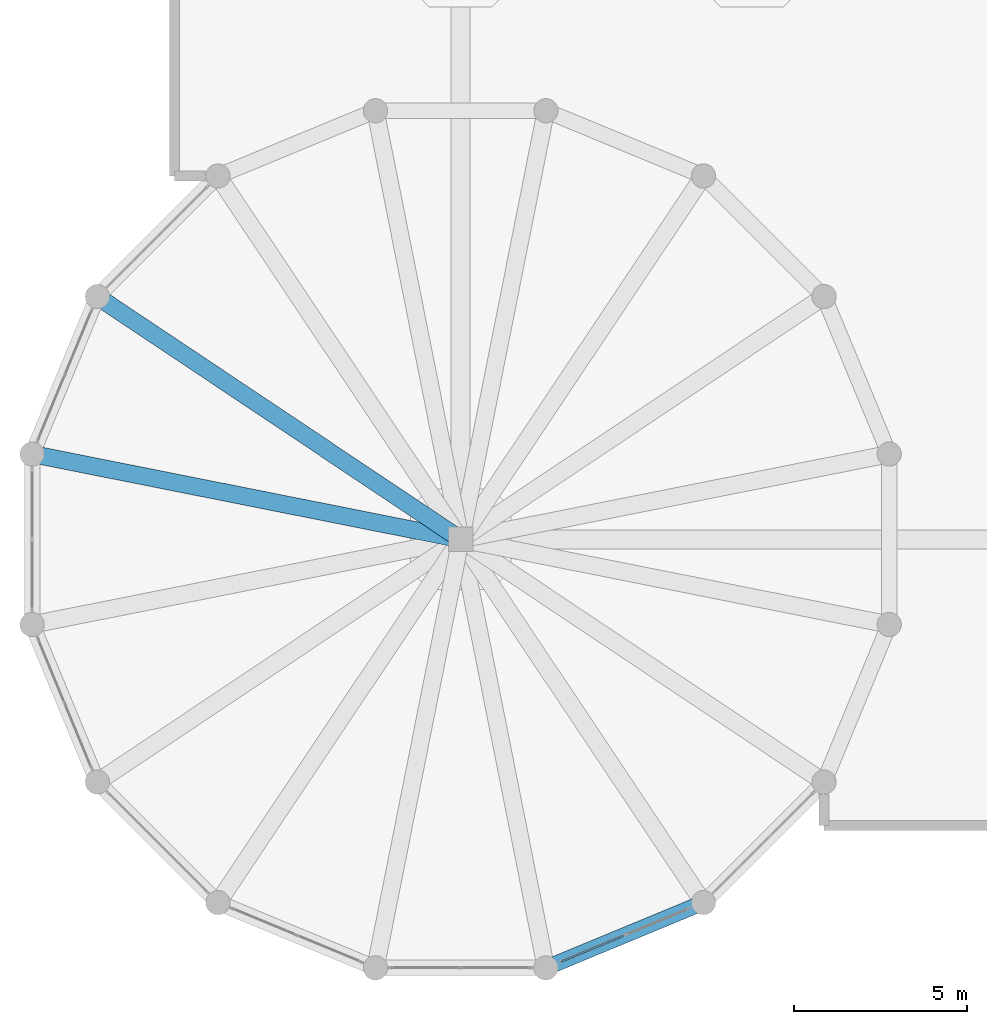
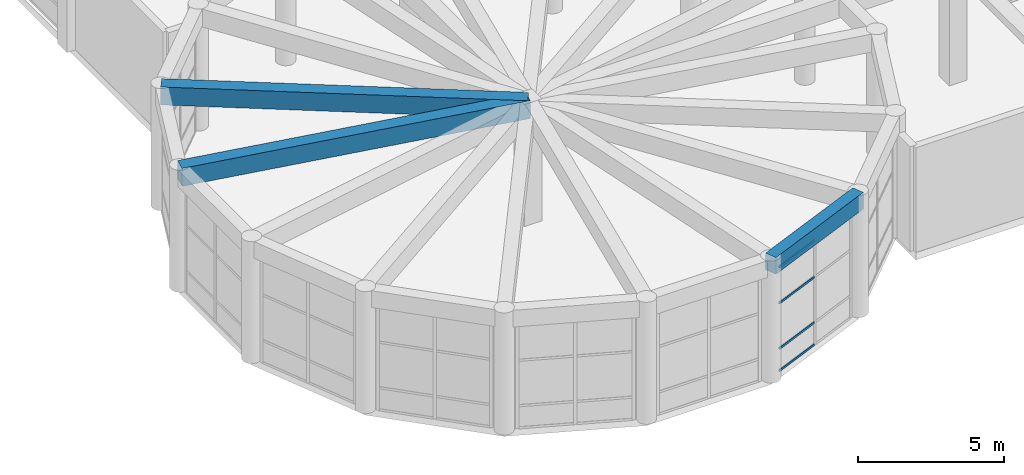
# One storey, part 10 of 96: 4 members, 3 beams, 1 element without a shape of its own.
"""IFC4 building model written with IfcOpenShell, lengths in metres."""

from ifc_helpers import new_model, si_unit, direction, frame, origin, origin_2d, place, context, subcontext, project, spatial, rectangle, hollow_rectangle, extrude, material, material_profile, profile_set, type_object, element, aggregate, save


model = new_model("IFC4")

# Units and contexts
model_context = context("Model", 3, precision=1e-05, world=origin(), true_north=direction((0.0, 1.0)))
body_context = subcontext(model_context, "Body", "Model", "MODEL_VIEW")
ifc_project = project(units=[si_unit("LENGTHUNIT", "METRE"), si_unit("AREAUNIT", "SQUARE_METRE"), si_unit("VOLUMEUNIT", "CUBIC_METRE"), si_unit("PLANEANGLEUNIT", "RADIAN"), si_unit("MASSUNIT", "GRAM", prefix="KILO")], contexts=[model_context])

# Site, building, storey
site_placement = place(None, origin())
site = spatial("IfcSite", under=ifc_project, at=site_placement, CompositionType="ELEMENT")
building_placement = place(site_placement, origin())
building = spatial("IfcBuilding", under=site, at=building_placement, Name="Almacenes y Pasaje Nevantli", CompositionType="ELEMENT")
storey_placement = place(building_placement, frame((0.0, 0.0, 6.0)))
storey = spatial("IfcBuildingStorey", under=building, at=storey_placement, Name="L02", CompositionType="ELEMENT", Elevation=6.0)

# Beams
ifc_material_1 = material(Name="Concrete C35/45", Category="concrete")
ifc_material_profile_1 = material_profile(ifc_material_1, rectangle(XDim=0.449951171875, YDim=0.699951171875, at=origin_2d()), Name="RC-BM-450x700")
ifc_profile_set_1 = profile_set([ifc_material_profile_1], Name="Concrete C35/45")
beam_type_1 = type_object("IfcBeamType", Name="BM-RC-450x700", PredefinedType="SPANDREL", material=ifc_profile_set_1)
beam_1_placement = place(storey_placement, frame((10.858154296875, -3.9580078125, 4.75), z_axis=(0.923862485532, 0.38272458482, 0.0), x_axis=(-0.38272458482, 0.923862485532, 0.0)))
element("IfcBeam", 1, at=beam_1_placement, inside=storey, type_object=beam_type_1, Name="L02 Rotunda Ring Spandrel Beam #13", PredefinedType="SPANDREL", context=body_context, shape_type="SweptSolid", body=[
    extrude(rectangle(XDim=0.449951171875, YDim=0.699951171875, at=origin_2d()), origin(), (0.0, 0.0, 1.0), 4.916259765625),
])
ifc_material_2 = material(Name="Concrete C35/45", Category="concrete")
ifc_material_profile_2 = material_profile(ifc_material_2, rectangle(XDim=0.5, YDim=0.75, at=origin_2d()), Name="RC-BM-500x750")
ifc_profile_set_2 = profile_set([ifc_material_profile_2], Name="Concrete C35/45")
beam_type_2 = type_object("IfcBeamType", Name="BM-RC-500x750", PredefinedType="BEAM", material=ifc_profile_set_2)
beam_2_placement = place(storey_placement, frame((8.39990234375, 8.39990234375, 4.72509765625), z_axis=(-0.831462572755, 0.555580768302, 0.0), x_axis=(-0.555580768302, -0.831462572755, 0.0)))
element("IfcBeam", 2, at=beam_2_placement, inside=storey, type_object=beam_type_2, Name="L02 Rotunda Radial Girder #7", PredefinedType="BEAM", context=body_context, shape_type="SweptSolid", body=[
    extrude(rectangle(XDim=0.5, YDim=0.75, at=origin_2d()), origin(), (0.0, 0.0, 1.0), 12.599853515625),
])
beam_3_placement = place(storey_placement, frame((8.39990234375, 8.39990234375, 4.72509765625), z_axis=(-0.980783597961, 0.195098780036, 0.0), x_axis=(-0.195098780036, -0.980783597961, 0.0)))
element("IfcBeam", 3, at=beam_3_placement, inside=storey, type_object=beam_type_2, Name="L02 Rotunda Radial Girder #8", PredefinedType="BEAM", context=body_context, shape_type="SweptSolid", body=[
    extrude(rectangle(XDim=0.5, YDim=0.75, at=origin_2d()), origin(), (0.0, 0.0, 1.0), 12.60009765625),
])

# Curtain wall, members
ifc_material_3 = material(Name="Thermally Broken Aluminium and Low-E Glass", Category="aluminium")
curtain_wall_type = type_object("IfcCurtainWallType", Name="CW-UNIT-ROTUNDA", PredefinedType="USERDEFINED", material=ifc_material_3)
curtain_wall_placement = place(storey_placement, origin())
curtain_wall = element("IfcCurtainWall", 4, at=curtain_wall_placement, inside=storey, type_object=curtain_wall_type, Name="L02 Corner Rotunda Faceted Curtain Wall Facet #13", ObjectType="UNITIZED CURTAIN WALL", PredefinedType="USERDEFINED")
ifc_material_4 = material(Name="Thermally Broken Anodized Aluminium", Category="aluminium")
ifc_material_profile_3 = material_profile(ifc_material_4, hollow_rectangle(XDim=0.050048828125, YDim=0.090087890625, WallThickness=0.0029296875, at=origin_2d()), Name="ALU-TRN-50x90")
ifc_profile_set_3 = profile_set([ifc_material_profile_3], Name="Thermally Broken Anodized Aluminium")
member_type = type_object("IfcMemberType", Name="CW-TRN-100", PredefinedType="USERDEFINED", material=ifc_profile_set_3)
member_1_placement = place(storey_placement, frame((11.29248046875, -3.778076171875, 0.02490234375), z_axis=(0.923887998679, 0.382662992588, 0.0), x_axis=(-0.382662992588, 0.923887998679, 0.0)))
member_1 = element("IfcMember", 5, at=member_1_placement, type_object=member_type, Name="CW-L02-032 transom 1.1", ObjectType="TRANSOM", PredefinedType="USERDEFINED", context=body_context, shape_type="SweptSolid", body=[
    extrude(hollow_rectangle(XDim=0.050048828125, YDim=0.090087890625, WallThickness=0.0029296875, at=origin_2d()), origin(), (0.0, 0.0, 1.0), 1.963134765625),
])
member_2_placement = place(storey_placement, frame((11.29248046875, -3.778076171875, 0.949951171875), z_axis=(0.923887998679, 0.382662992588, 0.0), x_axis=(-0.382662992588, 0.923887998679, 0.0)))
member_2 = element("IfcMember", 6, at=member_2_placement, type_object=member_type, Name="CW-L02-032 transom 1.2", ObjectType="TRANSOM", PredefinedType="USERDEFINED", context=body_context, shape_type="SweptSolid", body=[
    extrude(hollow_rectangle(XDim=0.050048828125, YDim=0.090087890625, WallThickness=0.0029296875, at=origin_2d()), origin(), (0.0, 0.0, 1.0), 1.963134765625),
])
member_3_placement = place(storey_placement, frame((11.29248046875, -3.778076171875, 2.85009765625), z_axis=(0.923887998679, 0.382662992588, 0.0), x_axis=(-0.382662992588, 0.923887998679, 0.0)))
member_3 = element("IfcMember", 7, at=member_3_placement, type_object=member_type, Name="CW-L02-032 transom 1.3", ObjectType="TRANSOM", PredefinedType="USERDEFINED", context=body_context, shape_type="SweptSolid", body=[
    extrude(hollow_rectangle(XDim=0.050048828125, YDim=0.090087890625, WallThickness=0.0029296875, at=origin_2d()), origin(), (0.0, 0.0, 1.0), 1.963134765625),
])
member_4_placement = place(storey_placement, frame((11.29248046875, -3.778076171875, 4.35498046875), z_axis=(0.923887998679, 0.382662992588, 0.0), x_axis=(-0.382662992588, 0.923887998679, 0.0)))
member_4 = element("IfcMember", 8, at=member_4_placement, type_object=member_type, Name="CW-L02-032 transom 1.4", ObjectType="TRANSOM", PredefinedType="USERDEFINED", context=body_context, shape_type="SweptSolid", body=[
    extrude(hollow_rectangle(XDim=0.050048828125, YDim=0.090087890625, WallThickness=0.0029296875, at=origin_2d()), origin(), (0.0, 0.0, 1.0), 1.963134765625),
])
aggregate(curtain_wall, [member_1, member_2, member_3, member_4])

save(model, "model.ifc")
